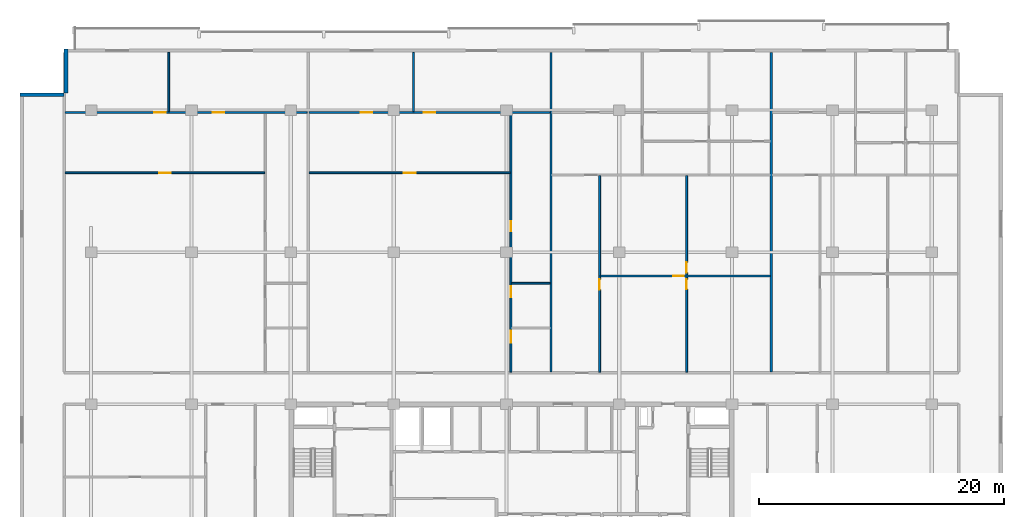
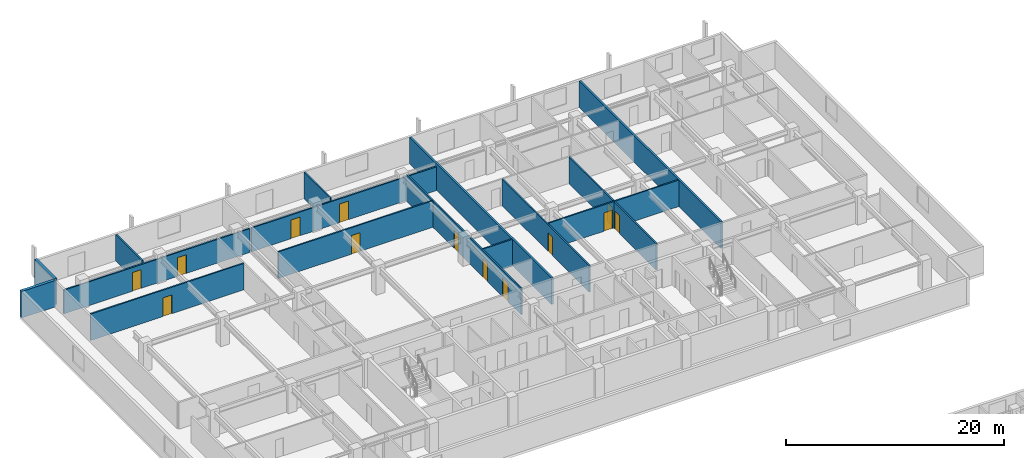
# One storey, part 13 of 21: 15 walls, 13 doors, 13 openings.
"""IFC4 building model written with IfcOpenShell, lengths in metres."""

from ifc_helpers import new_model, si_unit, direction, frame, frame_2d, origin, place, context, subcontext, project, spatial, rectangle, extrude, material, layer, layer_set, type_object, element, fill, save


model = new_model("IFC4")

# Units and contexts
model_context = context("Model", 3, precision=1e-05, world=origin(), true_north=direction((0.0, 1.0)))
body_context = subcontext(model_context, "Body", "Model", "MODEL_VIEW")
ifc_project = project(units=[si_unit("LENGTHUNIT", "METRE"), si_unit("AREAUNIT", "SQUARE_METRE"), si_unit("VOLUMEUNIT", "CUBIC_METRE"), si_unit("PLANEANGLEUNIT", "RADIAN"), si_unit("MASSUNIT", "GRAM", prefix="KILO")], contexts=[model_context])

# Site, building, storey
site_placement = place(None, origin())
site = spatial("IfcSite", under=ifc_project, at=site_placement, CompositionType="ELEMENT")
building_placement = place(site_placement, origin())
building = spatial("IfcBuilding", under=site, at=building_placement, Name="Korimba Cascade Residences", CompositionType="ELEMENT")
storey_placement = place(building_placement, frame((0.0, 0.0, 119.800048828125)))
storey = spatial("IfcBuildingStorey", under=building, at=storey_placement, Name="L34", CompositionType="ELEMENT", Elevation=119.800048828125)

# Walls
ifc_material_1 = material(Name="Precast concrete C40/50", Category="concrete")
ifc_layer_1 = layer(ifc_material_1, 0.300048828125)
ifc_layer_set_1 = layer_set([ifc_layer_1], Name="Precast concrete C40/50")
wall_type_1 = type_object("IfcWallType", Name="EW-STONE-300", PredefinedType="STANDARD", material=ifc_layer_set_1)
wall_1_placement = place(storey_placement, frame((57.75, 96.199951171875, 0.0), z_axis=(0.0, 0.0, 1.0), x_axis=(0.0, -1.0, 0.0)))
element("IfcWall", 1, at=wall_1_placement, inside=storey, type_object=wall_type_1, Name="L34 T1 Perimeter Stone Wall E07", PredefinedType="STANDARD", context=body_context, shape_type="SweptSolid", body=[
    extrude(rectangle(XDim=3.599853515625, YDim=0.300048828125, at=frame_2d((1.7998046875, 0.0))), origin(), (0.0, 0.0, 1.0), 2.969970703125),
])
wall_2_placement = place(storey_placement, frame((57.60009765625, 92.449951171875, 0.0), z_axis=(0.0, 0.0, 1.0), x_axis=(-1.0, 0.0, 0.0)))
element("IfcWall", 2, at=wall_2_placement, inside=storey, type_object=wall_type_1, Name="L34 T1 Perimeter Stone Wall E08", PredefinedType="STANDARD", context=body_context, shape_type="SweptSolid", body=[
    extrude(rectangle(XDim=3.60009765625, YDim=0.300048828125, at=frame_2d((1.800048828125, 0.0))), origin(), (0.0, 0.0, 1.0), 2.969970703125),
])
ifc_layer_2 = layer(ifc_material_1, 0.199951171875)
ifc_layer_set_2 = layer_set([ifc_layer_2], Name="Precast concrete C40/50")
wall_type_2 = type_object("IfcWallType", Name="WAL-IT-200", PredefinedType="PARTITIONING", material=ifc_layer_set_2)
for number, where, z_axis, x_axis, name in (
    (3, (97.33154296875, 69.830078125, 0.0), (0.0, 0.0, 1.0), (0.0, 1.0, 0.0), "L34 Partition Wall WAL-L34-T1-DEM-2"),
    (4, (115.321044921875, 69.830078125, 0.0), (0.0, 0.0, 1.0), (0.0, 1.0, 0.0), "L34 Partition Wall WAL-L34-T1-DEM-3"),
):
    element("IfcWall", number, at=place(storey_placement, frame(where, z_axis=z_axis, x_axis=x_axis)), inside=storey, type_object=wall_type_2, Name=name, PredefinedType="PARTITIONING", context=body_context, shape_type="SweptSolid", body=[
        extrude(rectangle(XDim=26.06982421875, YDim=0.199951171875, at=frame_2d((13.034912109375, 0.0))), origin(), (0.0, 0.0, 1.0), 2.969970703125),
    ])

# Wall, opening, door
ifc_material_2 = material(Name="Insulated Acoustic Stud Partition", Category="gypsum")
ifc_layer_3 = layer(ifc_material_2, 0.14990234375)
ifc_layer_set_3 = layer_set([ifc_layer_3], Name="Insulated Acoustic Stud Partition")
wall_type_3 = type_object("IfcWallType", Name="WAL-PART-150", PredefinedType="PARTITIONING", material=ifc_layer_set_3)
wall_3_placement = place(storey_placement, frame((57.679931640625, 86.080078125, 0.0), z_axis=(0.0, 0.0, 1.0), x_axis=(1.0, 0.0, 0.0)))
wall_3 = element("IfcWall", 5, at=wall_3_placement, inside=storey, type_object=wall_type_3, Name="L34 Partition Wall WAL-L34-T1-U01-CARH", PredefinedType="PARTITIONING", context=body_context, shape_type="SweptSolid", body=[
    extrude(rectangle(XDim=16.29052734375, YDim=0.14990234375, at=frame_2d((8.145263671875, 0.0))), origin(), (0.0, 0.0, 1.0), 2.969970703125),
])
opening_1_placement = place(wall_3_placement, frame((7.67529296875, 0.0, 0.0)))
opening_1 = element("IfcOpeningElement", 6, at=opening_1_placement, cuts=wall_3, Name="Opening D-IN0", PredefinedType="OPENING", context=body_context, shape_type="SweptSolid", body=[
    extrude(rectangle(XDim=0.93994140625, YDim=2.10009765625, at=frame_2d((0.469970703125, 1.050048828125))), frame((0.0, 0.0849609375, 0.0), z_axis=(0.0, -1.0, 0.0), x_axis=(1.0, 0.0, 0.0)), (0.0, 0.0, 1.0), 0.169921875),
])
ifc_material_3 = material(Name="Acoustic Timber Living Archway Door", Category="wood")
door_type_1 = type_object("IfcDoorType", Name="DR-INT-950", OperationType="NOTDEFINED", PredefinedType="DOOR", material=ifc_material_3)
door_1_placement = place(opening_1_placement, origin())
door_1 = element("IfcDoor", 7, at=door_1_placement, inside=storey, type_object=door_type_1, Name="L34-T1-U01 Wellness Clinic Foyer Door", OperationType="SINGLE_SWING_LEFT", OverallHeight=2.10009765625, OverallWidth=0.93994140625, PredefinedType="DOOR", context=body_context, shape_type="SweptSolid", body=[
    extrude(rectangle(XDim=0.93994140625, YDim=2.10009765625, at=frame_2d((0.469970703125, 1.050048828125))), frame((0.0, 0.02490234375, 0.0), z_axis=(0.0, -1.0, 0.0), x_axis=(1.0, 0.0, 0.0)), (0.0, 0.0, 1.0), 0.050048828125),
])
fill(opening_1, door_1)

# Wall
wall_4_placement = place(storey_placement, frame((66.13525390625, 91.080078125, 0.0), z_axis=(0.0, 0.0, 1.0), x_axis=(0.0, 1.0, 0.0)))
element("IfcWall", 8, at=wall_4_placement, inside=storey, type_object=wall_type_3, Name="L34 Partition Wall WAL-L34-T1-U01-OUTV", PredefinedType="PARTITIONING", context=body_context, shape_type="SweptSolid", body=[
    extrude(rectangle(XDim=4.81982421875, YDim=0.14990234375, at=frame_2d((2.409912109375, 0.0))), origin(), (0.0, 0.0, 1.0), 2.969970703125),
])

# Wall, openings, doors
wall_5_placement = place(storey_placement, frame((57.679931640625, 91.0, 0.0), z_axis=(0.0, 0.0, 1.0), x_axis=(1.0, 0.0, 0.0)))
wall_5 = element("IfcWall", 9, at=wall_5_placement, inside=storey, type_object=wall_type_3, Name="L34 Partition Wall WAL-L34-T1-U01-HZ", PredefinedType="PARTITIONING", context=body_context, shape_type="SweptSolid", body=[
    extrude(rectangle(XDim=19.75048828125, YDim=0.14990234375, at=frame_2d((9.875244140625, 0.0))), origin(), (0.0, 0.0, 1.0), 2.663330078125),
])
opening_2_placement = place(wall_5_placement, frame((7.26513671875, 0.0, 0.0)))
opening_2 = element("IfcOpeningElement", 10, at=opening_2_placement, cuts=wall_5, Name="Opening D-IN0", PredefinedType="OPENING", context=body_context, shape_type="SweptSolid", body=[
    extrude(rectangle(XDim=0.93994140625, YDim=2.10009765625, at=frame_2d((0.469970703125, 1.050048828125))), frame((0.0, 0.0849609375, 0.0), z_axis=(0.0, -1.0, 0.0), x_axis=(1.0, 0.0, 0.0)), (0.0, 0.0, 1.0), 0.169921875),
])
opening_3_placement = place(wall_5_placement, frame((12.051513671875, 0.0, 0.0)))
opening_3 = element("IfcOpeningElement", 11, at=opening_3_placement, cuts=wall_5, Name="Opening D-IN0", PredefinedType="OPENING", context=body_context, shape_type="SweptSolid", body=[
    extrude(rectangle(XDim=0.93994140625, YDim=2.10009765625, at=frame_2d((0.469970703125, 1.050048828125))), frame((0.0, 0.0849609375, 0.0), z_axis=(0.0, -1.0, 0.0), x_axis=(1.0, 0.0, 0.0)), (0.0, 0.0, 1.0), 0.169921875),
])
door_2_placement = place(opening_2_placement, origin())
door_2 = element("IfcDoor", 12, at=door_2_placement, inside=storey, type_object=door_type_1, Name="L34-T1-U01 Hydrotherapy Wellness Clinic Door", OperationType="SINGLE_SWING_LEFT", OverallHeight=2.10009765625, OverallWidth=0.93994140625, PredefinedType="DOOR", context=body_context, shape_type="SweptSolid", body=[
    extrude(rectangle(XDim=0.93994140625, YDim=2.10009765625, at=frame_2d((0.469970703125, 1.050048828125))), frame((0.0, 0.02490234375, 0.0), z_axis=(0.0, -1.0, 0.0), x_axis=(1.0, 0.0, 0.0)), (0.0, 0.0, 1.0), 0.050048828125),
])
fill(opening_2, door_2)
door_3_placement = place(opening_3_placement, origin())
door_3 = element("IfcDoor", 13, at=door_3_placement, inside=storey, type_object=door_type_1, Name="L34-T1-U01 Physiotherapy Treatment Room Door", OperationType="SINGLE_SWING_RIGHT", OverallHeight=2.10009765625, OverallWidth=0.93994140625, PredefinedType="DOOR", context=body_context, shape_type="SweptSolid", body=[
    extrude(rectangle(XDim=0.93994140625, YDim=2.10009765625, at=frame_2d((0.469970703125, 1.050048828125))), frame((0.0, 0.02490234375, 0.0), z_axis=(0.0, -1.0, 0.0), x_axis=(1.0, 0.0, 0.0)), (0.0, 0.0, 1.0), 0.050048828125),
])
fill(opening_3, door_3)

# Wall, opening, door
wall_6_placement = place(storey_placement, frame((77.590576171875, 86.080078125, 0.0), z_axis=(0.0, 0.0, 1.0), x_axis=(1.0, 0.0, 0.0)))
wall_6 = element("IfcWall", 14, at=wall_6_placement, inside=storey, type_object=wall_type_3, Name="L34 Partition Wall WAL-L34-T1-U02-CARH", PredefinedType="PARTITIONING", context=body_context, shape_type="SweptSolid", body=[
    extrude(rectangle(XDim=16.430908203125, YDim=0.14990234375, at=frame_2d((8.21533203125, 0.0))), origin(), (0.0, 0.0, 1.0), 2.969970703125),
])
opening_4_placement = place(wall_6_placement, frame((7.74560546875, 0.0, 0.0)))
opening_4 = element("IfcOpeningElement", 15, at=opening_4_placement, cuts=wall_6, Name="Opening D-IN0", PredefinedType="OPENING", context=body_context, shape_type="SweptSolid", body=[
    extrude(rectangle(XDim=0.93994140625, YDim=2.10009765625, at=frame_2d((0.469970703125, 1.050048828125))), frame((0.0, 0.0849609375, 0.0), z_axis=(0.0, -1.0, 0.0), x_axis=(1.0, 0.0, 0.0)), (0.0, 0.0, 1.0), 0.169921875),
])
door_4_placement = place(opening_4_placement, origin())
door_4 = element("IfcDoor", 16, at=door_4_placement, inside=storey, type_object=door_type_1, Name="L34-T1-U02 Wellness Clinic Foyer Door", OperationType="SINGLE_SWING_LEFT", OverallHeight=2.10009765625, OverallWidth=0.93994140625, PredefinedType="DOOR", context=body_context, shape_type="SweptSolid", body=[
    extrude(rectangle(XDim=0.93994140625, YDim=2.10009765625, at=frame_2d((0.469970703125, 1.050048828125))), frame((0.0, 0.02490234375, 0.0), z_axis=(0.0, -1.0, 0.0), x_axis=(1.0, 0.0, 0.0)), (0.0, 0.0, 1.0), 0.050048828125),
])
fill(opening_4, door_4)

# Wall
wall_7_placement = place(storey_placement, frame((94.12158203125, 77.070068359375, 0.0), z_axis=(0.0, 0.0, 1.0), x_axis=(1.0, 0.0, 0.0)))
element("IfcWall", 17, at=wall_7_placement, inside=storey, type_object=wall_type_3, Name="L34 Partition Wall WAL-L34-T1-U02-WCH2", PredefinedType="PARTITIONING", context=body_context, shape_type="SweptSolid", body=[
    extrude(rectangle(XDim=3.130126953125, YDim=0.14990234375, at=frame_2d((1.56494140625, 0.0))), origin(), (0.0, 0.0, 1.0), 2.969970703125),
])

# Wall, openings, doors
wall_8_placement = place(storey_placement, frame((94.0615234375, 69.81005859375, 0.0), z_axis=(0.0, 0.0, 1.0), x_axis=(0.0, 1.0, 0.0)))
wall_8 = element("IfcWall", 18, at=wall_8_placement, inside=storey, type_object=wall_type_3, Name="L34 Partition Wall WAL-L34-T1-U02-WCV", PredefinedType="PARTITIONING", context=body_context, shape_type="SweptSolid", body=[
    extrude(rectangle(XDim=21.1298828125, YDim=0.14990234375, at=frame_2d((10.56494140625, 0.0))), origin(), (0.0, 0.0, 1.0), 2.969970703125),
])
opening_5_placement = place(wall_8_placement, frame((2.406005859375, 0.0, 0.0)))
opening_5 = element("IfcOpeningElement", 19, at=opening_5_placement, cuts=wall_8, Name="Opening D-AC1", PredefinedType="OPENING", context=body_context, shape_type="SweptSolid", body=[
    extrude(rectangle(XDim=0.9599609375, YDim=2.10009765625, at=frame_2d((0.47998046875, 1.050048828125))), frame((0.0, 0.0849609375, 0.0), z_axis=(0.0, -1.0, 0.0), x_axis=(1.0, 0.0, 0.0)), (0.0, 0.0, 1.0), 0.169921875),
])
opening_6_placement = place(wall_8_placement, frame((6.132568359375, 0.0, 0.0)))
opening_6 = element("IfcOpeningElement", 20, at=opening_6_placement, cuts=wall_8, Name="Opening D-IN2", PredefinedType="OPENING", context=body_context, shape_type="SweptSolid", body=[
    extrude(rectangle(XDim=0.8798828125, YDim=2.06005859375, at=frame_2d((0.43994140625, 1.030029296875))), frame((0.0, 0.0849609375, 0.0), z_axis=(0.0, -1.0, 0.0), x_axis=(1.0, 0.0, 0.0)), (0.0, 0.0, 1.0), 0.169921875),
])
opening_7_placement = place(wall_8_placement, frame((11.482421875, 0.0, 0.0)))
opening_7 = element("IfcOpeningElement", 21, at=opening_7_placement, cuts=wall_8, Name="Opening D-BT1", PredefinedType="OPENING", context=body_context, shape_type="SweptSolid", body=[
    extrude(rectangle(XDim=0.840087890625, YDim=2.0400390625, at=frame_2d((0.419921875, 1.02001953125))), frame((0.0, 0.0849609375, 0.0), z_axis=(0.0, -1.0, 0.0), x_axis=(1.0, 0.0, 0.0)), (0.0, 0.0, 1.0), 0.169921875),
])
ifc_material_4 = material(Name="Accessible Acoustic Timber WC Door", Category="wood")
door_type_2 = type_object("IfcDoorType", Name="DR-ACC-950", OperationType="NOTDEFINED", PredefinedType="DOOR", material=ifc_material_4)
door_5_placement = place(opening_5_placement, origin())
door_5 = element("IfcDoor", 22, at=door_5_placement, inside=storey, type_object=door_type_2, Name="L34-T1-U02 Accessible WC Door", OperationType="SINGLE_SWING_RIGHT", OverallHeight=2.10009765625, OverallWidth=0.9599609375, PredefinedType="DOOR", context=body_context, shape_type="SweptSolid", body=[
    extrude(rectangle(XDim=0.9599609375, YDim=2.10009765625, at=frame_2d((0.47998046875, 1.050048828125))), frame((0.0, 0.02490234375, 0.0), z_axis=(0.0, -1.0, 0.0), x_axis=(1.0, 0.0, 0.0)), (0.0, 0.0, 1.0), 0.050048828125),
])
fill(opening_5, door_5)
ifc_material_5 = material(Name="Moisture-Resistant Bathroom Timber Door", Category="wood")
door_type_3 = type_object("IfcDoorType", Name="DR-INT-850", OperationType="NOTDEFINED", PredefinedType="DOOR", material=ifc_material_5)
door_6_placement = place(opening_7_placement, origin())
door_6 = element("IfcDoor", 23, at=door_6_placement, inside=storey, type_object=door_type_3, Name="L34-T1-U02 Suite Store Door", OperationType="SINGLE_SWING_RIGHT", OverallHeight=2.0400390625, OverallWidth=0.840087890625, PredefinedType="DOOR", context=body_context, shape_type="SweptSolid", body=[
    extrude(rectangle(XDim=0.840087890625, YDim=2.0400390625, at=frame_2d((0.419921875, 1.02001953125))), frame((0.0, 0.02490234375, 0.0), z_axis=(0.0, -1.0, 0.0), x_axis=(1.0, 0.0, 0.0)), (0.0, 0.0, 1.0), 0.050048828125),
])
fill(opening_7, door_6)
ifc_material_6 = material(Name="Acoustic Timber Bedroom Door", Category="wood")
door_type_4 = type_object("IfcDoorType", Name="DR-INT-880", OperationType="NOTDEFINED", PredefinedType="DOOR", material=ifc_material_6)
door_7_placement = place(opening_6_placement, origin())
door_7 = element("IfcDoor", 24, at=door_7_placement, inside=storey, type_object=door_type_4, Name="L34-T1-U02 Restroom WC Door", OperationType="SINGLE_SWING_LEFT", OverallHeight=2.06005859375, OverallWidth=0.8798828125, PredefinedType="DOOR", context=body_context, shape_type="SweptSolid", body=[
    extrude(rectangle(XDim=0.8798828125, YDim=2.06005859375, at=frame_2d((0.43994140625, 1.030029296875))), frame((0.0, 0.02490234375, 0.0), z_axis=(0.0, -1.0, 0.0), x_axis=(1.0, 0.0, 0.0)), (0.0, 0.0, 1.0), 0.050048828125),
])
fill(opening_6, door_7)

# Wall
wall_9_placement = place(storey_placement, frame((86.115966796875, 91.080078125, 0.0), z_axis=(0.0, 0.0, 1.0), x_axis=(0.0, 1.0, 0.0)))
element("IfcWall", 25, at=wall_9_placement, inside=storey, type_object=wall_type_3, Name="L34 Partition Wall WAL-L34-T1-U02-OUTV", PredefinedType="PARTITIONING", context=body_context, shape_type="SweptSolid", body=[
    extrude(rectangle(XDim=4.81982421875, YDim=0.14990234375, at=frame_2d((2.409912109375, 0.0))), origin(), (0.0, 0.0, 1.0), 2.969970703125),
])

# Wall, openings, doors
wall_10_placement = place(storey_placement, frame((77.590576171875, 91.0, 0.0), z_axis=(0.0, 0.0, 1.0), x_axis=(1.0, 0.0, 0.0)))
wall_10 = element("IfcWall", 26, at=wall_10_placement, inside=storey, type_object=wall_type_3, Name="L34 Partition Wall WAL-L34-T1-U02-HZ", PredefinedType="PARTITIONING", context=body_context, shape_type="SweptSolid", body=[
    extrude(rectangle(XDim=19.6611328125, YDim=0.14990234375, at=frame_2d((9.83056640625, 0.0))), origin(), (0.0, 0.0, 1.0), 2.663330078125),
])
opening_8_placement = place(wall_10_placement, frame((4.218017578125, 0.0, 0.0)))
opening_8 = element("IfcOpeningElement", 27, at=opening_8_placement, cuts=wall_10, Name="Opening D-IN0", PredefinedType="OPENING", context=body_context, shape_type="SweptSolid", body=[
    extrude(rectangle(XDim=0.93994140625, YDim=2.10009765625, at=frame_2d((0.469970703125, 1.050048828125))), frame((0.0, 0.0849609375, 0.0), z_axis=(0.0, -1.0, 0.0), x_axis=(1.0, 0.0, 0.0)), (0.0, 0.0, 1.0), 0.169921875),
])
opening_9_placement = place(wall_10_placement, frame((9.360595703125, 0.0, 0.0)))
opening_9 = element("IfcOpeningElement", 28, at=opening_9_placement, cuts=wall_10, Name="Opening D-IN0", PredefinedType="OPENING", context=body_context, shape_type="SweptSolid", body=[
    extrude(rectangle(XDim=0.93994140625, YDim=2.10009765625, at=frame_2d((0.469970703125, 1.050048828125))), frame((0.0, 0.0849609375, 0.0), z_axis=(0.0, -1.0, 0.0), x_axis=(1.0, 0.0, 0.0)), (0.0, 0.0, 1.0), 0.169921875),
])
door_8_placement = place(opening_8_placement, origin())
door_8 = element("IfcDoor", 29, at=door_8_placement, inside=storey, type_object=door_type_1, Name="L34-T1-U02 Hydrotherapy Wellness Clinic Door", OperationType="SINGLE_SWING_LEFT", OverallHeight=2.10009765625, OverallWidth=0.93994140625, PredefinedType="DOOR", context=body_context, shape_type="SweptSolid", body=[
    extrude(rectangle(XDim=0.93994140625, YDim=2.10009765625, at=frame_2d((0.469970703125, 1.050048828125))), frame((0.0, 0.02490234375, 0.0), z_axis=(0.0, -1.0, 0.0), x_axis=(1.0, 0.0, 0.0)), (0.0, 0.0, 1.0), 0.050048828125),
])
fill(opening_8, door_8)
door_9_placement = place(opening_9_placement, origin())
door_9 = element("IfcDoor", 30, at=door_9_placement, inside=storey, type_object=door_type_1, Name="L34-T1-U02 Physiotherapy Treatment Room Door", OperationType="SINGLE_SWING_RIGHT", OverallHeight=2.10009765625, OverallWidth=0.93994140625, PredefinedType="DOOR", context=body_context, shape_type="SweptSolid", body=[
    extrude(rectangle(XDim=0.93994140625, YDim=2.10009765625, at=frame_2d((0.469970703125, 1.050048828125))), frame((0.0, 0.02490234375, 0.0), z_axis=(0.0, -1.0, 0.0), x_axis=(1.0, 0.0, 0.0)), (0.0, 0.0, 1.0), 0.050048828125),
])
fill(opening_9, door_9)

wall_11_placement = place(storey_placement, frame((108.4013671875, 69.81005859375, 0.0), z_axis=(0.0, 0.0, 1.0), x_axis=(0.0, 1.0, 0.0)))
wall_11 = element("IfcWall", 31, at=wall_11_placement, inside=storey, type_object=wall_type_3, Name="L34 Partition Wall WAL-L34-T1-U03-FMV", PredefinedType="PARTITIONING", context=body_context, shape_type="SweptSolid", body=[
    extrude(rectangle(XDim=16.050048828125, YDim=0.14990234375, at=frame_2d((8.02490234375, 0.0))), origin(), (0.0, 0.0, 1.0), 2.969970703125),
])
opening_10_placement = place(wall_11_placement, frame((6.7548828125, 0.0, 0.0)))
opening_10 = element("IfcOpeningElement", 32, at=opening_10_placement, cuts=wall_11, Name="Opening D-BT1", PredefinedType="OPENING", context=body_context, shape_type="SweptSolid", body=[
    extrude(rectangle(XDim=0.840087890625, YDim=2.0400390625, at=frame_2d((0.419921875, 1.02001953125))), frame((0.0, 0.0849609375, 0.0), z_axis=(0.0, -1.0, 0.0), x_axis=(1.0, 0.0, 0.0)), (0.0, 0.0, 1.0), 0.169921875),
])
opening_11_placement = place(wall_11_placement, frame((8.094970703125, 0.0, 0.0)))
opening_11 = element("IfcOpeningElement", 33, at=opening_11_placement, cuts=wall_11, Name="Opening D-IN2", PredefinedType="OPENING", context=body_context, shape_type="SweptSolid", body=[
    extrude(rectangle(XDim=0.8798828125, YDim=2.06005859375, at=frame_2d((0.43994140625, 1.030029296875))), frame((0.0, 0.0849609375, 0.0), z_axis=(0.0, -1.0, 0.0), x_axis=(1.0, 0.0, 0.0)), (0.0, 0.0, 1.0), 0.169921875),
])
door_10_placement = place(opening_10_placement, origin())
door_10 = element("IfcDoor", 34, at=door_10_placement, inside=storey, type_object=door_type_3, Name="L34-T1-U03 Wardrobe Door", OperationType="SINGLE_SWING_LEFT", OverallHeight=2.0400390625, OverallWidth=0.840087890625, PredefinedType="DOOR", context=body_context, shape_type="SweptSolid", body=[
    extrude(rectangle(XDim=0.840087890625, YDim=2.0400390625, at=frame_2d((0.419921875, 1.02001953125))), frame((0.0, 0.02490234375, 0.0), z_axis=(0.0, -1.0, 0.0), x_axis=(1.0, 0.0, 0.0)), (0.0, 0.0, 1.0), 0.050048828125),
])
fill(opening_10, door_10)
door_11_placement = place(opening_11_placement, origin())
door_11 = element("IfcDoor", 35, at=door_11_placement, inside=storey, type_object=door_type_4, Name="L34-T1-U03 Music Lounge Door", OperationType="SINGLE_SWING_RIGHT", OverallHeight=2.06005859375, OverallWidth=0.8798828125, PredefinedType="DOOR", context=body_context, shape_type="SweptSolid", body=[
    extrude(rectangle(XDim=0.8798828125, YDim=2.06005859375, at=frame_2d((0.43994140625, 1.030029296875))), frame((0.0, 0.02490234375, 0.0), z_axis=(0.0, -1.0, 0.0), x_axis=(1.0, 0.0, 0.0)), (0.0, 0.0, 1.0), 0.050048828125),
])
fill(opening_11, door_11)

# Wall, opening, door
wall_12_placement = place(storey_placement, frame((101.361572265625, 77.655029296875, 0.0), z_axis=(0.0, 0.0, 1.0), x_axis=(1.0, 0.0, 0.0)))
wall_12 = element("IfcWall", 36, at=wall_12_placement, inside=storey, type_object=wall_type_3, Name="L34 Partition Wall WAL-L34-T1-U03-FMH", PredefinedType="PARTITIONING", context=body_context, shape_type="SweptSolid", body=[
    extrude(rectangle(XDim=13.879638671875, YDim=0.14990234375, at=frame_2d((6.93994140625, 0.0))), origin(), (0.0, 0.0, 1.0), 2.969970703125),
])
opening_12_placement = place(wall_12_placement, frame((5.939697265625, 0.0, 0.0)))
opening_12 = element("IfcOpeningElement", 37, at=opening_12_placement, cuts=wall_12, Name="Opening D-IN2", PredefinedType="OPENING", context=body_context, shape_type="SweptSolid", body=[
    extrude(rectangle(XDim=0.8798828125, YDim=2.06005859375, at=frame_2d((0.43994140625, 1.030029296875))), frame((0.0, 0.0849609375, 0.0), z_axis=(0.0, -1.0, 0.0), x_axis=(1.0, 0.0, 0.0)), (0.0, 0.0, 1.0), 0.169921875),
])
door_12_placement = place(opening_12_placement, origin())
door_12 = element("IfcDoor", 38, at=door_12_placement, inside=storey, type_object=door_type_4, Name="L34-T1-U03 Library Salon Door", OperationType="SINGLE_SWING_LEFT", OverallHeight=2.06005859375, OverallWidth=0.8798828125, PredefinedType="DOOR", context=body_context, shape_type="SweptSolid", body=[
    extrude(rectangle(XDim=0.8798828125, YDim=2.06005859375, at=frame_2d((0.43994140625, 1.030029296875))), frame((0.0, 0.02490234375, 0.0), z_axis=(0.0, -1.0, 0.0), x_axis=(1.0, 0.0, 0.0)), (0.0, 0.0, 1.0), 0.050048828125),
])
fill(opening_12, door_12)

wall_13_placement = place(storey_placement, frame((101.301513671875, 69.81005859375, 0.0), z_axis=(0.0, 0.0, 1.0), x_axis=(0.0, 1.0, 0.0)))
wall_13 = element("IfcWall", 39, at=wall_13_placement, inside=storey, type_object=wall_type_3, Name="L34 Partition Wall WAL-L34-T1-U03-FV", PredefinedType="PARTITIONING", context=body_context, shape_type="SweptSolid", body=[
    extrude(rectangle(XDim=16.050048828125, YDim=0.14990234375, at=frame_2d((8.02490234375, 0.0))), origin(), (0.0, 0.0, 1.0), 2.969970703125),
])
opening_13_placement = place(wall_13_placement, frame((6.715087890625, 0.0, 0.0)))
opening_13 = element("IfcOpeningElement", 40, at=opening_13_placement, cuts=wall_13, Name="Opening D-IN2", PredefinedType="OPENING", context=body_context, shape_type="SweptSolid", body=[
    extrude(rectangle(XDim=0.8798828125, YDim=2.06005859375, at=frame_2d((0.43994140625, 1.030029296875))), frame((0.0, 0.0849609375, 0.0), z_axis=(0.0, -1.0, 0.0), x_axis=(1.0, 0.0, 0.0)), (0.0, 0.0, 1.0), 0.169921875),
])
door_13_placement = place(opening_13_placement, origin())
door_13 = element("IfcDoor", 41, at=door_13_placement, inside=storey, type_object=door_type_4, Name="L34-T1-U03 Media Lounge Door", OperationType="SINGLE_SWING_RIGHT", OverallHeight=2.06005859375, OverallWidth=0.8798828125, PredefinedType="DOOR", context=body_context, shape_type="SweptSolid", body=[
    extrude(rectangle(XDim=0.8798828125, YDim=2.06005859375, at=frame_2d((0.43994140625, 1.030029296875))), frame((0.0, 0.02490234375, 0.0), z_axis=(0.0, -1.0, 0.0), x_axis=(1.0, 0.0, 0.0)), (0.0, 0.0, 1.0), 0.050048828125),
])
fill(opening_13, door_13)

save(model, "model.ifc")
